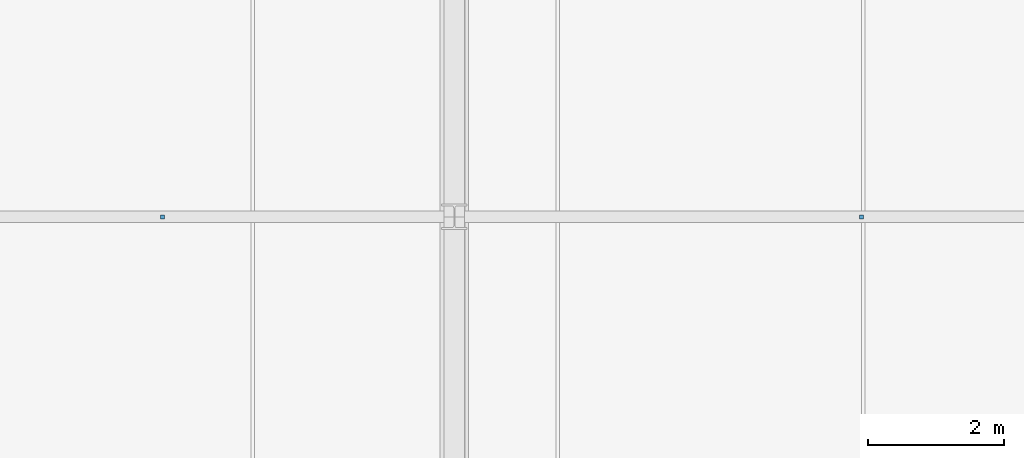
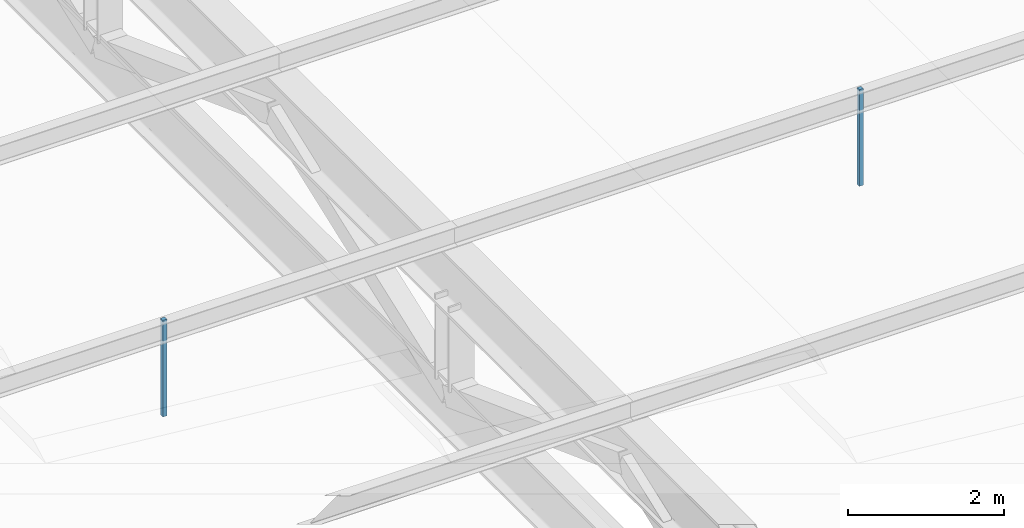
# One storey, part 103 of 108: 2 discrete accessories.
"""IFC4 building model written with IfcOpenShell, lengths in metres."""

from ifc_helpers import new_model, si_unit, direction, frame, origin, origin_2d, place, context, subcontext, project, spatial, rectangle, extrude, material, type_object, element, save


model = new_model("IFC4")

# Units and contexts
model_context = context("Model", 3, precision=1e-05, world=origin(), true_north=direction((0.0, 1.0)))
body_context = subcontext(model_context, "Body", "Model", "MODEL_VIEW")
ifc_project = project(units=[si_unit("LENGTHUNIT", "METRE"), si_unit("AREAUNIT", "SQUARE_METRE"), si_unit("VOLUMEUNIT", "CUBIC_METRE"), si_unit("PLANEANGLEUNIT", "RADIAN"), si_unit("MASSUNIT", "GRAM", prefix="KILO")], contexts=[model_context])

# Site, building, storey
site_placement = place(None, origin())
site = spatial("IfcSite", under=ifc_project, at=site_placement, CompositionType="ELEMENT")
building_placement = place(site_placement, origin())
building = spatial("IfcBuilding", under=site, at=building_placement, Name="Kaldorvane Square Convention Centre", CompositionType="ELEMENT")
storey_placement = place(building_placement, frame((0.0, 0.0, 23.399993896484375)))
storey = spatial("IfcBuildingStorey", under=building, at=storey_placement, Name="L04", CompositionType="ELEMENT", Elevation=23.399993896484375)

# Discrete accessories
ifc_material = material(Name="Architectural Painted Steel", Category="steel")
discrete_accessory_type = type_object("IfcDiscreteAccessoryType", Name="AC-HGR-060", PredefinedType="BRACKET", material=ifc_material)
for number, where, z_axis, x_axis, name in (
    (1, (85.69999694824219, 45.0, 2.029998779296875), (0.0, 0.0, 1.0), (1.0, 0.0, 0.0), "Ceiling Suspension Bracket 09 (L04)"),
    (2, (96.0, 45.0, 2.029998779296875), (0.0, 0.0, 1.0), (1.0, 0.0, 0.0), "Ceiling Suspension Bracket 10 (L04)"),
):
    element("IfcDiscreteAccessory", number, at=place(storey_placement, frame(where, z_axis=z_axis, x_axis=x_axis)), inside=storey, type_object=discrete_accessory_type, Name=name, PredefinedType="BRACKET", context=body_context, shape_type="SweptSolid", body=[
        extrude(rectangle(XDim=0.05999755859375, YDim=0.05999755859375, at=origin_2d()), origin(), (0.0, 0.0, 1.0), 1.5099945068359375),
    ])

save(model, "model.ifc")
